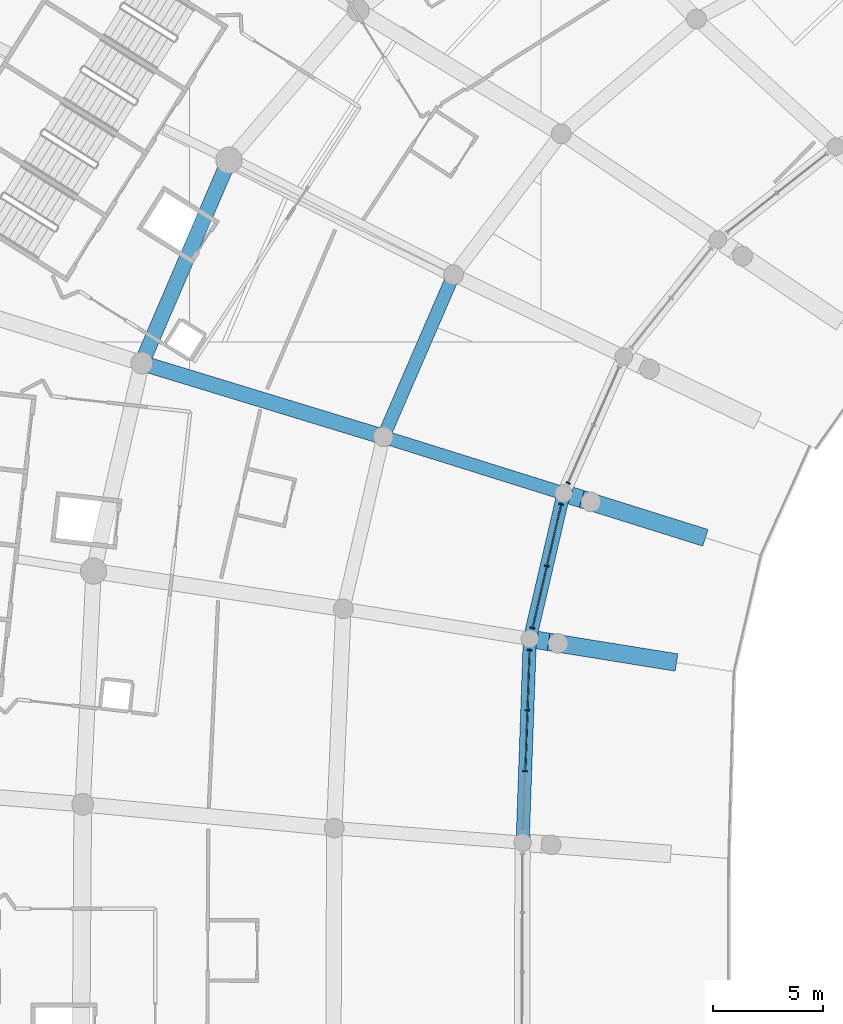
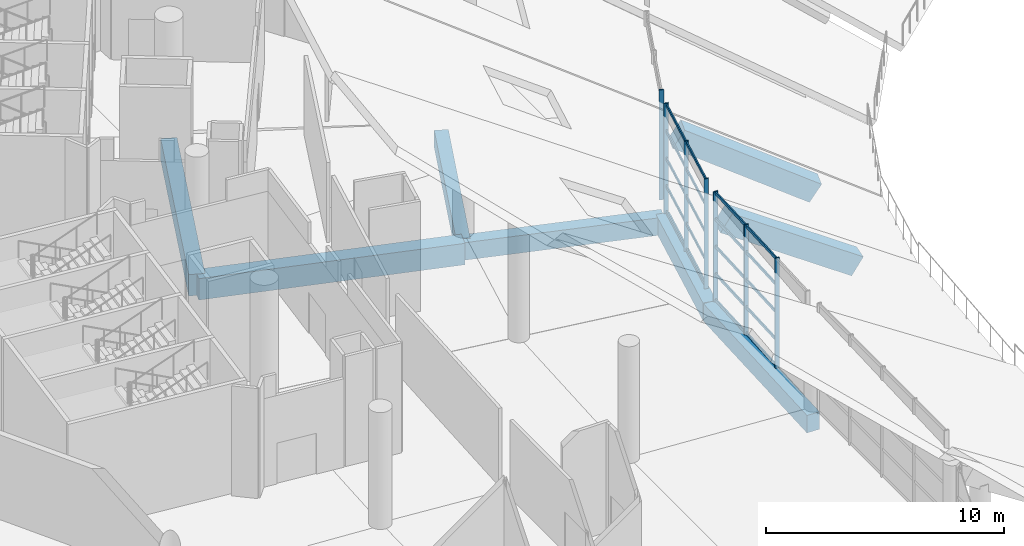
# One storey, part 60 of 249: 27 members, 8 beams, 3 elements without a shape of their own.
"""IFC4 building model written with IfcOpenShell, lengths in metres."""

from ifc_helpers import new_model, si_unit, direction, frame, origin, origin_2d, place, context, subcontext, project, spatial, rectangle, extrude, material, layer, layer_set, material_profile, profile_set, type_object, element, aggregate, save


model = new_model("IFC4")

# Units and contexts
model_context = context("Model", 3, precision=1e-05, world=origin(), true_north=direction((0.0, 1.0)))
body_context = subcontext(model_context, "Body", "Model", "MODEL_VIEW")
ifc_project = project(units=[si_unit("LENGTHUNIT", "METRE"), si_unit("AREAUNIT", "SQUARE_METRE"), si_unit("VOLUMEUNIT", "CUBIC_METRE"), si_unit("PLANEANGLEUNIT", "RADIAN"), si_unit("MASSUNIT", "GRAM", prefix="KILO")], contexts=[model_context])

# Site, building, storey
site_placement = place(None, origin())
site = spatial("IfcSite", under=ifc_project, at=site_placement, CompositionType="ELEMENT")
building_placement = place(site_placement, origin())
building = spatial("IfcBuilding", under=site, at=building_placement, Name="Meseta Stadium", CompositionType="ELEMENT")
storey_placement = place(building_placement, frame((0.0, 0.0, 12.0)))
storey = spatial("IfcBuildingStorey", under=building, at=storey_placement, Name="L02", CompositionType="ELEMENT", Elevation=12.0)

# Curtain wall, member
ifc_material_1 = material(Name="Aluminium", Category="aluminium")
ifc_layer = layer(ifc_material_1, 0.199951171875)
ifc_layer_set = layer_set([ifc_layer], Name="Suite glazing curtain wall")
curtain_wall_type = type_object("IfcCurtainWallType", Name="Suite glazing curtain wall", PredefinedType="NOTDEFINED", material=ifc_layer_set)
curtain_wall_1_placement = place(storey_placement, origin())
curtain_wall_1 = element("IfcCurtainWall", 1, at=curtain_wall_1_placement, inside=storey, type_object=curtain_wall_type, Name="Suite glazing bay 26", PredefinedType="NOTDEFINED")
ifc_material_2 = material(Name="Aluminium", Category="aluminium")
ifc_material_profile_1 = material_profile(ifc_material_2, rectangle(XDim=0.199951171875, YDim=0.06005859375, at=origin_2d()), Name="CW 200x60")
ifc_profile_set_1 = profile_set([ifc_material_profile_1], Name="Aluminium")
member_type_1 = type_object("IfcMemberType", Name="CW mullion 60x200", PredefinedType="MULLION", material=ifc_profile_set_1)
member_1_placement = place(storey_placement, frame((-62.75732421875, 57.572998046875, 0.0), z_axis=(0.0, 0.0, 1.0), x_axis=(0.915207323968, -0.402983317466, 0.0)))
member_1 = element("IfcMember", 2, at=member_1_placement, type_object=member_type_1, Name="CWS mullion 3", PredefinedType="MULLION", context=body_context, shape_type="SweptSolid", body=[
    extrude(rectangle(XDim=0.199951171875, YDim=0.06005859375, at=origin_2d()), origin(), (0.0, 0.0, 1.0), 5.64990234375),
])
aggregate(curtain_wall_1, [member_1])

# Curtain wall, members
curtain_wall_2_placement = place(storey_placement, origin())
curtain_wall_2 = element("IfcCurtainWall", 3, at=curtain_wall_2_placement, inside=storey, type_object=curtain_wall_type, Name="Suite glazing bay 27", PredefinedType="NOTDEFINED")
member_2_placement = place(storey_placement, frame((-63.0791015625, 56.607421875, 0.0), z_axis=(0.0, 0.0, 1.0), x_axis=(0.974092857522, -0.226148413492, 0.0)))
member_2 = element("IfcMember", 4, at=member_2_placement, type_object=member_type_1, Name="CWS mullion 1", PredefinedType="MULLION", context=body_context, shape_type="SweptSolid", body=[
    extrude(rectangle(XDim=0.199951171875, YDim=0.06005859375, at=origin_2d()), origin(), (0.0, 0.0, 1.0), 5.64990234375),
])
member_3_placement = place(storey_placement, frame((-63.732666015625, 53.7919921875, 0.0), z_axis=(0.0, 0.0, 1.0), x_axis=(0.974092857522, -0.226148413492, 0.0)))
member_3 = element("IfcMember", 5, at=member_3_placement, type_object=member_type_1, Name="CWS mullion 2", PredefinedType="MULLION", context=body_context, shape_type="SweptSolid", body=[
    extrude(rectangle(XDim=0.199951171875, YDim=0.06005859375, at=origin_2d()), origin(), (0.0, 0.0, 1.0), 5.64990234375),
])
member_4_placement = place(storey_placement, frame((-64.38623046875, 50.9765625, 0.0), z_axis=(0.0, 0.0, 1.0), x_axis=(0.974092857522, -0.226148413492, 0.0)))
member_4 = element("IfcMember", 6, at=member_4_placement, type_object=member_type_1, Name="CWS mullion 3", PredefinedType="MULLION", context=body_context, shape_type="SweptSolid", body=[
    extrude(rectangle(XDim=0.199951171875, YDim=0.06005859375, at=origin_2d()), origin(), (0.0, 0.0, 1.0), 5.64990234375),
])

curtain_wall_3_placement = place(storey_placement, origin())
curtain_wall_3 = element("IfcCurtainWall", 7, at=curtain_wall_3_placement, inside=storey, type_object=curtain_wall_type, Name="Suite glazing bay 28", PredefinedType="NOTDEFINED")
member_5_placement = place(storey_placement, frame((-64.519775390625, 49.96728515625, 0.0), z_axis=(0.0, 0.0, 1.0), x_axis=(0.999374260798, -0.035370706156, 0.0)))
member_5 = element("IfcMember", 8, at=member_5_placement, type_object=member_type_1, Name="CWS mullion 1", PredefinedType="MULLION", context=body_context, shape_type="SweptSolid", body=[
    extrude(rectangle(XDim=0.199951171875, YDim=0.06005859375, at=origin_2d()), origin(), (0.0, 0.0, 1.0), 5.64990234375),
])
member_6_placement = place(storey_placement, frame((-64.61669921875, 47.225830078125, 0.0), z_axis=(0.0, 0.0, 1.0), x_axis=(0.999374260798, -0.035370706156, 0.0)))
member_6 = element("IfcMember", 9, at=member_6_placement, type_object=member_type_1, Name="CWS mullion 2", PredefinedType="MULLION", context=body_context, shape_type="SweptSolid", body=[
    extrude(rectangle(XDim=0.199951171875, YDim=0.06005859375, at=origin_2d()), origin(), (0.0, 0.0, 1.0), 5.64990234375),
])
member_7_placement = place(storey_placement, frame((-64.71484375, 44.45458984375, 0.0), z_axis=(0.0, 0.0, 1.0), x_axis=(0.999374260798, -0.035370706156, 0.0)))
member_7 = element("IfcMember", 10, at=member_7_placement, type_object=member_type_1, Name="CWS mullion 3", PredefinedType="MULLION", context=body_context, shape_type="SweptSolid", body=[
    extrude(rectangle(XDim=0.199951171875, YDim=0.06005859375, at=origin_2d()), origin(), (0.0, 0.0, 1.0), 5.64990234375),
])

# Member
ifc_material_3 = material(Name="Aluminium", Category="aluminium")
ifc_material_profile_2 = material_profile(ifc_material_3, rectangle(XDim=0.06005859375, YDim=0.14990234375, at=origin_2d()), Name="CW 60x150")
ifc_profile_set_2 = profile_set([ifc_material_profile_2], Name="Aluminium")
member_type_2 = type_object("IfcMemberType", Name="CW transom 60x150", PredefinedType="USERDEFINED", material=ifc_profile_set_2)
member_8_placement = place(storey_placement, frame((-63.085693359375, 56.578125, 0.074951171875), z_axis=(-0.226163322124, -0.974089396167, 0.0), x_axis=(0.974089396167, -0.226163322124, 0.0)))
member_8 = element("IfcMember", 11, at=member_8_placement, type_object=member_type_2, Name="CWS transom 1.1", ObjectType="TRANSOM", PredefinedType="USERDEFINED", context=body_context, shape_type="SweptSolid", body=[
    extrude(rectangle(XDim=0.06005859375, YDim=0.14990234375, at=origin_2d()), origin(), (0.0, 0.0, 1.0), 2.830322265625),
])

member_9_placement = place(storey_placement, frame((-63.085693359375, 56.578125, 1.41259765625), z_axis=(-0.226163322124, -0.974089396167, 0.0), x_axis=(0.974089396167, -0.226163322124, 0.0)))
member_9 = element("IfcMember", 12, at=member_9_placement, type_object=member_type_2, Name="CWS transom 1.2", ObjectType="TRANSOM", PredefinedType="USERDEFINED", context=body_context, shape_type="SweptSolid", body=[
    extrude(rectangle(XDim=0.06005859375, YDim=0.14990234375, at=origin_2d()), origin(), (0.0, 0.0, 1.0), 2.830322265625),
])

member_10_placement = place(storey_placement, frame((-63.085693359375, 56.578125, 2.824951171875), z_axis=(-0.226163322124, -0.974089396167, 0.0), x_axis=(0.974089396167, -0.226163322124, 0.0)))
member_10 = element("IfcMember", 13, at=member_10_placement, type_object=member_type_2, Name="CWS transom 1.3", ObjectType="TRANSOM", PredefinedType="USERDEFINED", context=body_context, shape_type="SweptSolid", body=[
    extrude(rectangle(XDim=0.06005859375, YDim=0.14990234375, at=origin_2d()), origin(), (0.0, 0.0, 1.0), 2.830322265625),
])

member_11_placement = place(storey_placement, frame((-63.085693359375, 56.578125, 4.237548828125), z_axis=(-0.226163322124, -0.974089396167, 0.0), x_axis=(0.974089396167, -0.226163322124, 0.0)))
member_11 = element("IfcMember", 14, at=member_11_placement, type_object=member_type_2, Name="CWS transom 1.4", ObjectType="TRANSOM", PredefinedType="USERDEFINED", context=body_context, shape_type="SweptSolid", body=[
    extrude(rectangle(XDim=0.06005859375, YDim=0.14990234375, at=origin_2d()), origin(), (0.0, 0.0, 1.0), 2.830322265625),
])

member_12_placement = place(storey_placement, frame((-63.085693359375, 56.578125, 5.574951171875), z_axis=(-0.226163322124, -0.974089396167, 0.0), x_axis=(0.974089396167, -0.226163322124, 0.0)))
member_12 = element("IfcMember", 15, at=member_12_placement, type_object=member_type_2, Name="CWS transom 1.5", ObjectType="TRANSOM", PredefinedType="USERDEFINED", context=body_context, shape_type="SweptSolid", body=[
    extrude(rectangle(XDim=0.06005859375, YDim=0.14990234375, at=origin_2d()), origin(), (0.0, 0.0, 1.0), 2.830322265625),
])

member_13_placement = place(storey_placement, frame((-63.739501953125, 53.7626953125, 0.074951171875), z_axis=(-0.226100473584, -0.974103986156, 0.0), x_axis=(0.974103986156, -0.226100473584, 0.0)))
member_13 = element("IfcMember", 16, at=member_13_placement, type_object=member_type_2, Name="CWS transom 2.1", ObjectType="TRANSOM", PredefinedType="USERDEFINED", context=body_context, shape_type="SweptSolid", body=[
    extrude(rectangle(XDim=0.06005859375, YDim=0.14990234375, at=origin_2d()), origin(), (0.0, 0.0, 1.0), 2.830078125),
])

member_14_placement = place(storey_placement, frame((-63.739501953125, 53.7626953125, 1.41259765625), z_axis=(-0.226100473584, -0.974103986156, 0.0), x_axis=(0.974103986156, -0.226100473584, 0.0)))
member_14 = element("IfcMember", 17, at=member_14_placement, type_object=member_type_2, Name="CWS transom 2.2", ObjectType="TRANSOM", PredefinedType="USERDEFINED", context=body_context, shape_type="SweptSolid", body=[
    extrude(rectangle(XDim=0.06005859375, YDim=0.14990234375, at=origin_2d()), origin(), (0.0, 0.0, 1.0), 2.830078125),
])

member_15_placement = place(storey_placement, frame((-63.739501953125, 53.7626953125, 2.824951171875), z_axis=(-0.226100473584, -0.974103986156, 0.0), x_axis=(0.974103986156, -0.226100473584, 0.0)))
member_15 = element("IfcMember", 18, at=member_15_placement, type_object=member_type_2, Name="CWS transom 2.3", ObjectType="TRANSOM", PredefinedType="USERDEFINED", context=body_context, shape_type="SweptSolid", body=[
    extrude(rectangle(XDim=0.06005859375, YDim=0.14990234375, at=origin_2d()), origin(), (0.0, 0.0, 1.0), 2.830078125),
])

member_16_placement = place(storey_placement, frame((-63.739501953125, 53.7626953125, 4.237548828125), z_axis=(-0.226100473584, -0.974103986156, 0.0), x_axis=(0.974103986156, -0.226100473584, 0.0)))
member_16 = element("IfcMember", 19, at=member_16_placement, type_object=member_type_2, Name="CWS transom 2.4", ObjectType="TRANSOM", PredefinedType="USERDEFINED", context=body_context, shape_type="SweptSolid", body=[
    extrude(rectangle(XDim=0.06005859375, YDim=0.14990234375, at=origin_2d()), origin(), (0.0, 0.0, 1.0), 2.830078125),
])

member_17_placement = place(storey_placement, frame((-63.739501953125, 53.7626953125, 5.574951171875), z_axis=(-0.226100473584, -0.974103986156, 0.0), x_axis=(0.974103986156, -0.226100473584, 0.0)))
member_17 = element("IfcMember", 20, at=member_17_placement, type_object=member_type_2, Name="CWS transom 2.5", ObjectType="TRANSOM", PredefinedType="USERDEFINED", context=body_context, shape_type="SweptSolid", body=[
    extrude(rectangle(XDim=0.06005859375, YDim=0.14990234375, at=origin_2d()), origin(), (0.0, 0.0, 1.0), 2.830078125),
])

aggregate(curtain_wall_2, [member_2, member_3, member_4, member_8, member_9, member_10, member_11, member_12, member_13, member_14, member_15, member_16, member_17])

member_18_placement = place(storey_placement, frame((-64.520751953125, 49.937255859375, 0.074951171875), z_axis=(-0.035396179242, -0.999373358908, 0.0), x_axis=(0.999373358908, -0.035396179242, 0.0)))
member_18 = element("IfcMember", 21, at=member_18_placement, type_object=member_type_2, Name="CWS transom 1.1", ObjectType="TRANSOM", PredefinedType="USERDEFINED", context=body_context, shape_type="SweptSolid", body=[
    extrude(rectangle(XDim=0.06005859375, YDim=0.14990234375, at=origin_2d()), origin(), (0.0, 0.0, 1.0), 2.68310546875),
])

member_19_placement = place(storey_placement, frame((-64.520751953125, 49.937255859375, 1.41259765625), z_axis=(-0.035396179242, -0.999373358908, 0.0), x_axis=(0.999373358908, -0.035396179242, 0.0)))
member_19 = element("IfcMember", 22, at=member_19_placement, type_object=member_type_2, Name="CWS transom 1.2", ObjectType="TRANSOM", PredefinedType="USERDEFINED", context=body_context, shape_type="SweptSolid", body=[
    extrude(rectangle(XDim=0.06005859375, YDim=0.14990234375, at=origin_2d()), origin(), (0.0, 0.0, 1.0), 2.68310546875),
])

member_20_placement = place(storey_placement, frame((-64.520751953125, 49.937255859375, 2.824951171875), z_axis=(-0.035396179242, -0.999373358908, 0.0), x_axis=(0.999373358908, -0.035396179242, 0.0)))
member_20 = element("IfcMember", 23, at=member_20_placement, type_object=member_type_2, Name="CWS transom 1.3", ObjectType="TRANSOM", PredefinedType="USERDEFINED", context=body_context, shape_type="SweptSolid", body=[
    extrude(rectangle(XDim=0.06005859375, YDim=0.14990234375, at=origin_2d()), origin(), (0.0, 0.0, 1.0), 2.68310546875),
])

member_21_placement = place(storey_placement, frame((-64.520751953125, 49.937255859375, 4.237548828125), z_axis=(-0.035396179242, -0.999373358908, 0.0), x_axis=(0.999373358908, -0.035396179242, 0.0)))
member_21 = element("IfcMember", 24, at=member_21_placement, type_object=member_type_2, Name="CWS transom 1.4", ObjectType="TRANSOM", PredefinedType="USERDEFINED", context=body_context, shape_type="SweptSolid", body=[
    extrude(rectangle(XDim=0.06005859375, YDim=0.14990234375, at=origin_2d()), origin(), (0.0, 0.0, 1.0), 2.68310546875),
])

member_22_placement = place(storey_placement, frame((-64.520751953125, 49.937255859375, 5.574951171875), z_axis=(-0.035396179242, -0.999373358908, 0.0), x_axis=(0.999373358908, -0.035396179242, 0.0)))
member_22 = element("IfcMember", 25, at=member_22_placement, type_object=member_type_2, Name="CWS transom 1.5", ObjectType="TRANSOM", PredefinedType="USERDEFINED", context=body_context, shape_type="SweptSolid", body=[
    extrude(rectangle(XDim=0.06005859375, YDim=0.14990234375, at=origin_2d()), origin(), (0.0, 0.0, 1.0), 2.68310546875),
])

member_23_placement = place(storey_placement, frame((-64.617919921875, 47.196044921875, 0.074951171875), z_axis=(-0.035360963356, -0.999374605576, 0.0), x_axis=(0.999374605576, -0.035360963356, 0.0)))
member_23 = element("IfcMember", 26, at=member_23_placement, type_object=member_type_2, Name="CWS transom 2.1", ObjectType="TRANSOM", PredefinedType="USERDEFINED", context=body_context, shape_type="SweptSolid", body=[
    extrude(rectangle(XDim=0.06005859375, YDim=0.14990234375, at=origin_2d()), origin(), (0.0, 0.0, 1.0), 2.71337890625),
])

member_24_placement = place(storey_placement, frame((-64.617919921875, 47.196044921875, 1.41259765625), z_axis=(-0.035360963356, -0.999374605576, 0.0), x_axis=(0.999374605576, -0.035360963356, 0.0)))
member_24 = element("IfcMember", 27, at=member_24_placement, type_object=member_type_2, Name="CWS transom 2.2", ObjectType="TRANSOM", PredefinedType="USERDEFINED", context=body_context, shape_type="SweptSolid", body=[
    extrude(rectangle(XDim=0.06005859375, YDim=0.14990234375, at=origin_2d()), origin(), (0.0, 0.0, 1.0), 2.71337890625),
])

member_25_placement = place(storey_placement, frame((-64.617919921875, 47.196044921875, 2.824951171875), z_axis=(-0.035360963356, -0.999374605576, 0.0), x_axis=(0.999374605576, -0.035360963356, 0.0)))
member_25 = element("IfcMember", 28, at=member_25_placement, type_object=member_type_2, Name="CWS transom 2.3", ObjectType="TRANSOM", PredefinedType="USERDEFINED", context=body_context, shape_type="SweptSolid", body=[
    extrude(rectangle(XDim=0.06005859375, YDim=0.14990234375, at=origin_2d()), origin(), (0.0, 0.0, 1.0), 2.71337890625),
])

member_26_placement = place(storey_placement, frame((-64.617919921875, 47.196044921875, 4.237548828125), z_axis=(-0.035360963356, -0.999374605576, 0.0), x_axis=(0.999374605576, -0.035360963356, 0.0)))
member_26 = element("IfcMember", 29, at=member_26_placement, type_object=member_type_2, Name="CWS transom 2.4", ObjectType="TRANSOM", PredefinedType="USERDEFINED", context=body_context, shape_type="SweptSolid", body=[
    extrude(rectangle(XDim=0.06005859375, YDim=0.14990234375, at=origin_2d()), origin(), (0.0, 0.0, 1.0), 2.71337890625),
])

member_27_placement = place(storey_placement, frame((-64.617919921875, 47.196044921875, 5.574951171875), z_axis=(-0.035360963356, -0.999374605576, 0.0), x_axis=(0.999374605576, -0.035360963356, 0.0)))
member_27 = element("IfcMember", 30, at=member_27_placement, type_object=member_type_2, Name="CWS transom 2.5", ObjectType="TRANSOM", PredefinedType="USERDEFINED", context=body_context, shape_type="SweptSolid", body=[
    extrude(rectangle(XDim=0.06005859375, YDim=0.14990234375, at=origin_2d()), origin(), (0.0, 0.0, 1.0), 2.71337890625),
])

aggregate(curtain_wall_3, [member_5, member_6, member_7, member_18, member_19, member_20, member_21, member_22, member_23, member_24, member_25, member_26, member_27])

# Beams
ifc_material_4 = material(Name="Concrete C40/50", Category="concrete")
ifc_material_profile_3 = material_profile(ifc_material_4, rectangle(XDim=0.60009765625, YDim=0.89990234375, at=origin_2d()), Name="RC 600x900")
ifc_profile_set_3 = profile_set([ifc_material_profile_3], Name="Concrete C40/50")
beam_type_1 = type_object("IfcBeamType", Name="RC beam 600x900", PredefinedType="BEAM", material=ifc_profile_set_3)
beam_1_placement = place(storey_placement, frame((-67.972412109375, 67.057861328125, -0.800048828125), z_axis=(-0.397502661884, -0.91760102103, 0.0), x_axis=(0.91760102103, -0.397502661884, 0.0)))
element("IfcBeam", 31, at=beam_1_placement, inside=storey, type_object=beam_type_1, Name="L02 ring beam frame 26 line E", PredefinedType="BEAM", context=body_context, shape_type="SweptSolid", body=[
    extrude(rectangle(XDim=0.60009765625, YDim=0.89990234375, at=origin_2d()), origin(), (0.0, 0.0, 1.0), 8.04345703125),
])
beam_2_placement = place(storey_placement, frame((-62.963623046875, 57.1044921875, -0.800048828125), z_axis=(-0.226157078617, -0.974090845759, 0.0), x_axis=(0.974090845759, -0.226157078617, 0.0)))
element("IfcBeam", 32, at=beam_2_placement, inside=storey, type_object=beam_type_1, Name="L02 ring beam frame 27 line D", PredefinedType="BEAM", context=body_context, shape_type="SweptSolid", body=[
    extrude(rectangle(XDim=0.60009765625, YDim=0.89990234375, at=origin_2d()), origin(), (0.0, 0.0, 1.0), 6.801025390625),
])
beam_3_placement = place(storey_placement, frame((-64.501708984375, 50.479736328125, -0.800048828125), z_axis=(-0.035352824386, -0.999374893525, 0.0), x_axis=(0.999374893525, -0.035352824386, 0.0)))
element("IfcBeam", 33, at=beam_3_placement, inside=storey, type_object=beam_type_1, Name="L02 ring beam frame 28 line D", PredefinedType="BEAM", context=body_context, shape_type="SweptSolid", body=[
    extrude(rectangle(XDim=0.60009765625, YDim=0.89990234375, at=origin_2d()), origin(), (0.0, 0.0, 1.0), 9.281494140625),
])
beam_4_placement = place(storey_placement, frame((-62.963623046875, 57.1044921875, -0.800048828125), z_axis=(-0.9542027514, 0.299160674588, 0.0), x_axis=(-0.299160674588, -0.9542027514, 0.0)))
element("IfcBeam", 34, at=beam_4_placement, inside=storey, type_object=beam_type_1, Name="L02 radial beam frame 27 line D to E", PredefinedType="BEAM", context=body_context, shape_type="SweptSolid", body=[
    extrude(rectangle(XDim=0.60009765625, YDim=0.89990234375, at=origin_2d()), origin(), (0.0, 0.0, 1.0), 8.599853515625),
])
ifc_material_5 = material(Name="Concrete C40/50", Category="concrete")
ifc_material_profile_4 = material_profile(ifc_material_5, rectangle(XDim=0.699951171875, YDim=1.10009765625, at=origin_2d()), Name="RC 700x1100")
ifc_profile_set_4 = profile_set([ifc_material_profile_4], Name="Concrete C40/50")
beam_type_2 = type_object("IfcBeamType", Name="RC beam 700x1100", PredefinedType="BEAM", material=ifc_profile_set_4)
beam_5_placement = place(storey_placement, frame((-78.197998046875, 72.27197265625, -0.89990234375), z_axis=(-0.394921198525, -0.918714997676, 0.0), x_axis=(0.918714997676, -0.394921198525, 0.0)))
element("IfcBeam", 35, at=beam_5_placement, inside=storey, type_object=beam_type_2, Name="L02 ring beam frame 26 line P", PredefinedType="BEAM", context=body_context, shape_type="SweptSolid", body=[
    extrude(rectangle(XDim=0.699951171875, YDim=1.10009765625, at=origin_2d()), origin(), (0.0, 0.0, 1.0), 10.0556640625),
])
beam_6_placement = place(storey_placement, frame((-71.169677734375, 59.67724609375, -0.89990234375), z_axis=(-0.956461260307, 0.291859311198, 0.0), x_axis=(-0.291859311198, -0.956461260307, 0.0)))
element("IfcBeam", 36, at=beam_6_placement, inside=storey, type_object=beam_type_2, Name="L02 radial beam frame 27 line E to P", PredefinedType="BEAM", context=body_context, shape_type="SweptSolid", body=[
    extrude(rectangle(XDim=0.699951171875, YDim=1.10009765625, at=origin_2d()), origin(), (0.0, 0.0, 1.0), 11.500244140625),
])
ifc_material_6 = material(Name="Concrete C40/50", Category="concrete")
ifc_material_profile_5 = material_profile(ifc_material_6, rectangle(XDim=0.800048828125, YDim=1.0, at=origin_2d()), Name="RC 800x1000")
ifc_profile_set_5 = profile_set([ifc_material_profile_5], Name="Concrete C40/50")
beam_type_3 = type_object("IfcBeamType", Name="RC raker upper front 800x1000", PredefinedType="USERDEFINED", material=ifc_profile_set_5)
beam_7_placement = place(storey_placement, frame((-56.76123046875, 55.159912109375, -0.055419921875), z_axis=(-0.809742926729, 0.253843522, 0.529036727411), x_axis=(-0.299132503643, -0.95421158307, 0.0)))
element("IfcBeam", 37, at=beam_7_placement, inside=storey, type_object=beam_type_3, Name="Raker upper front frame 27 upper tier", ObjectType="RAKER", PredefinedType="USERDEFINED", context=body_context, shape_type="SweptSolid", body=[
    extrude(rectangle(XDim=0.800048828125, YDim=1.0, at=origin_2d()), origin(), (0.0, 0.0, 1.0), 6.95263671875),
])
beam_8_placement = place(storey_placement, frame((-58.084228515625, 49.4462890625, 0.111083984375), z_axis=(-0.837415099284, 0.134848435033, 0.529671455773), x_axis=(-0.158981342824, -0.987281587306, 0.0)))
element("IfcBeam", 38, at=beam_8_placement, inside=storey, type_object=beam_type_3, Name="Raker upper front frame 28 upper tier", ObjectType="RAKER", PredefinedType="USERDEFINED", context=body_context, shape_type="SweptSolid", body=[
    extrude(rectangle(XDim=0.800048828125, YDim=1.0, at=origin_2d()), origin(), (0.0, 0.0, 1.0), 6.955810546875),
])

save(model, "model.ifc")
